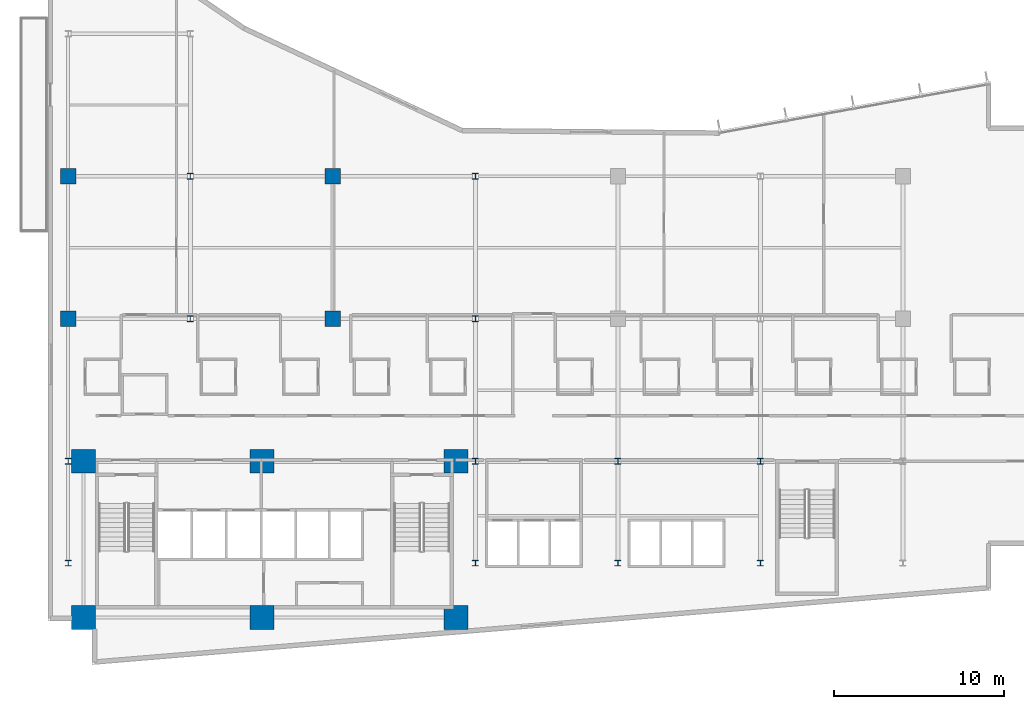
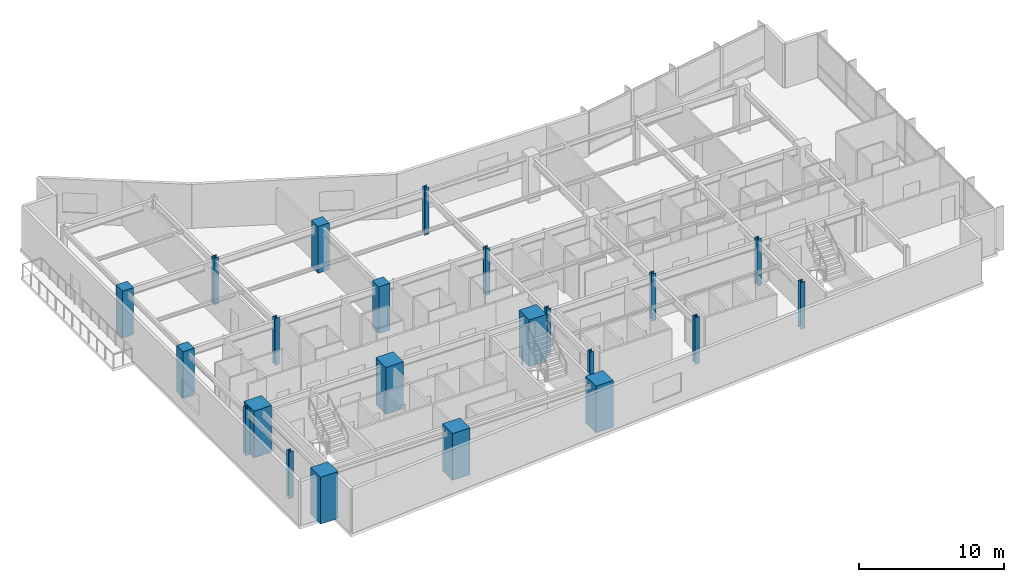
# One storey, part 1 of 21: 22 columns.
"""IFC4 building model written with IfcOpenShell, lengths in metres."""

from ifc_helpers import new_model, si_unit, direction, frame, origin, origin_2d, place, context, subcontext, project, spatial, rectangle, i_section, extrude, material, material_profile, profile_set, type_object, element, save


model = new_model("IFC4")

# Units and contexts
model_context = context("Model", 3, precision=1e-05, world=origin(), true_north=direction((0.0, 1.0)))
body_context = subcontext(model_context, "Body", "Model", "MODEL_VIEW")
ifc_project = project(units=[si_unit("LENGTHUNIT", "METRE"), si_unit("AREAUNIT", "SQUARE_METRE"), si_unit("VOLUMEUNIT", "CUBIC_METRE"), si_unit("PLANEANGLEUNIT", "RADIAN"), si_unit("MASSUNIT", "GRAM", prefix="KILO")], contexts=[model_context])

# Site, building, storey
site_placement = place(None, origin())
site = spatial("IfcSite", under=ifc_project, at=site_placement, CompositionType="ELEMENT")
building_placement = place(site_placement, origin())
building = spatial("IfcBuilding", under=site, at=building_placement, Name="Varnakote Quay Hospital", CompositionType="ELEMENT")
storey_placement = place(building_placement, frame((0.0, 0.0, 38.300048828125)))
storey = spatial("IfcBuildingStorey", under=building, at=storey_placement, Name="L09", CompositionType="ELEMENT", Elevation=38.300048828125)

# Columns
ifc_material_1 = material(Name="Concrete N80 (f'c 80 MPa)", Category="concrete")
ifc_material_profile_1 = material_profile(ifc_material_1, rectangle(XDim=1.39990234375, YDim=1.39990234375, at=origin_2d()), Name="RC-COL-1400x1400")
ifc_profile_set_1 = profile_set([ifc_material_profile_1], Name="Concrete N80 (f'c 80 MPa)")
column_type_1 = type_object("IfcColumnType", Name="COL-RC-1400", PredefinedType="COLUMN", material=ifc_profile_set_1)
for number, where, z_axis, x_axis, name in (
    (1, (2.10009765625, 2.800048828125, 0.0), (0.0, 0.0, 1.0), (1.0, 0.0, 0.0), "L09 Structural Column C-2-3"),
    (2, (12.6201171875, 2.800048828125, 0.0), (0.0, 0.0, 1.0), (1.0, 0.0, 0.0), "L09 Structural Column C-13-3"),
    (3, (24.050048828125, 2.800048828125, 0.0), (0.0, 0.0, 1.0), (1.0, 0.0, 0.0), "L09 Structural Column C-24-3"),
    (4, (2.10009765625, 12.0, 0.0), (0.0, 0.0, 1.0), (1.0, 0.0, 0.0), "L09 Structural Column C-2-12"),
    (5, (12.6201171875, 12.0, 0.0), (0.0, 0.0, 1.0), (1.0, 0.0, 0.0), "L09 Structural Column C-13-12"),
    (6, (24.050048828125, 12.0, 0.0), (0.0, 0.0, 1.0), (1.0, 0.0, 0.0), "L09 Structural Column C-24-12"),
):
    element("IfcColumn", number, at=place(storey_placement, frame(where, z_axis=z_axis, x_axis=x_axis)), inside=storey, type_object=column_type_1, Name=name, PredefinedType="COLUMN", context=body_context, shape_type="SweptSolid", body=[
        extrude(rectangle(XDim=1.39990234375, YDim=1.39990234375, at=origin_2d()), origin(), (0.0, 0.0, 1.0), 3.949951171875),
    ])
ifc_material_2 = material(Name="Concrete N50 (f'c 50 MPa)", Category="concrete")
ifc_material_profile_2 = material_profile(ifc_material_2, rectangle(XDim=0.89990234375, YDim=0.89990234375, at=origin_2d()), Name="RC-COL-900x900")
ifc_profile_set_2 = profile_set([ifc_material_profile_2], Name="Concrete N50 (f'c 50 MPa)")
column_type_2 = type_object("IfcColumnType", Name="COL-RC-900", PredefinedType="COLUMN", material=ifc_profile_set_2)
for number, where, z_axis, x_axis, name in (
    (7, (1.199951171875, 20.39990234375, 0.0), (0.0, 0.0, 1.0), (1.0, 0.0, 0.0), "L09 Structural Column C-1-20"),
    (8, (16.800048828125, 20.39990234375, 0.0), (0.0, 0.0, 1.0), (1.0, 0.0, 0.0), "L09 Structural Column C-17-20"),
    (9, (1.199951171875, 28.800048828125, 0.0), (0.0, 0.0, 1.0), (1.0, 0.0, 0.0), "L09 Structural Column C-1-29"),
    (10, (16.800048828125, 28.800048828125, 0.0), (0.0, 0.0, 1.0), (1.0, 0.0, 0.0), "L09 Structural Column C-17-29"),
):
    element("IfcColumn", number, at=place(storey_placement, frame(where, z_axis=z_axis, x_axis=x_axis)), inside=storey, type_object=column_type_2, Name=name, PredefinedType="COLUMN", context=body_context, shape_type="SweptSolid", body=[
        extrude(rectangle(XDim=0.89990234375, YDim=0.89990234375, at=origin_2d()), origin(), (0.0, 0.0, 1.0), 3.949951171875),
    ])
ifc_material_3 = material(Name="Structural steel AS/NZS 3678 Grade 350 (fy 340 MPa)", Category="steel")
ifc_material_profile_3 = material_profile(ifc_material_3, i_section(OverallWidth=0.35009765625, OverallDepth=0.340087890625, WebThickness=0.01611328125, FlangeThickness=0.028076171875, at=origin_2d()), Name="350WC197")
ifc_profile_set_3 = profile_set([ifc_material_profile_3], Name="Structural steel AS/NZS 3678 Grade 350 (fy 340 MPa)")
column_type_3 = type_object("IfcColumnType", Name="COL-STL-350WC197", PredefinedType="COLUMN", material=ifc_profile_set_3)
for number, where, z_axis, x_axis, name in (
    (11, (1.199951171875, 6.0, 0.0), (0.0, 0.0, 1.0), (1.0, 0.0, 0.0), "L09 Structural Column C-1-6"),
    (12, (25.199951171875, 6.0, 0.0), (0.0, 0.0, 1.0), (1.0, 0.0, 0.0), "L09 Structural Column C-25-6"),
    (13, (33.60009765625, 6.0, 0.0), (0.0, 0.0, 1.0), (1.0, 0.0, 0.0), "L09 Structural Column C-34-6"),
    (14, (42.0, 6.0, 0.0), (0.0, 0.0, 1.0), (1.0, 0.0, 0.0), "L09 Structural Column C-42-6"),
    (15, (1.199951171875, 12.0, 0.0), (0.0, 0.0, 1.0), (1.0, 0.0, 0.0), "L09 Structural Column C-1-12"),
    (16, (25.199951171875, 12.0, 0.0), (0.0, 0.0, 1.0), (1.0, 0.0, 0.0), "L09 Structural Column C-25-12"),
    (17, (33.60009765625, 12.0, 0.0), (0.0, 0.0, 1.0), (1.0, 0.0, 0.0), "L09 Structural Column C-34-12"),
    (18, (42.0, 12.0, 0.0), (0.0, 0.0, 1.0), (1.0, 0.0, 0.0), "L09 Structural Column C-42-12"),
    (19, (8.39990234375, 20.39990234375, 0.0), (0.0, 0.0, 1.0), (1.0, 0.0, 0.0), "L09 Structural Column C-8-20"),
    (20, (25.199951171875, 20.39990234375, 0.0), (0.0, 0.0, 1.0), (1.0, 0.0, 0.0), "L09 Structural Column C-25-20"),
    (21, (8.39990234375, 28.800048828125, 0.0), (0.0, 0.0, 1.0), (1.0, 0.0, 0.0), "L09 Structural Column C-8-29"),
    (22, (25.199951171875, 28.800048828125, 0.0), (0.0, 0.0, 1.0), (1.0, 0.0, 0.0), "L09 Structural Column C-25-29"),
):
    element("IfcColumn", number, at=place(storey_placement, frame(where, z_axis=z_axis, x_axis=x_axis)), inside=storey, type_object=column_type_3, Name=name, PredefinedType="COLUMN", context=body_context, shape_type="SweptSolid", body=[
        extrude(i_section(OverallWidth=0.35009765625, OverallDepth=0.340087890625, WebThickness=0.01611328125, FlangeThickness=0.028076171875, at=origin_2d()), origin(), (0.0, 0.0, 1.0), 3.949951171875),
    ])

save(model, "model.ifc")
